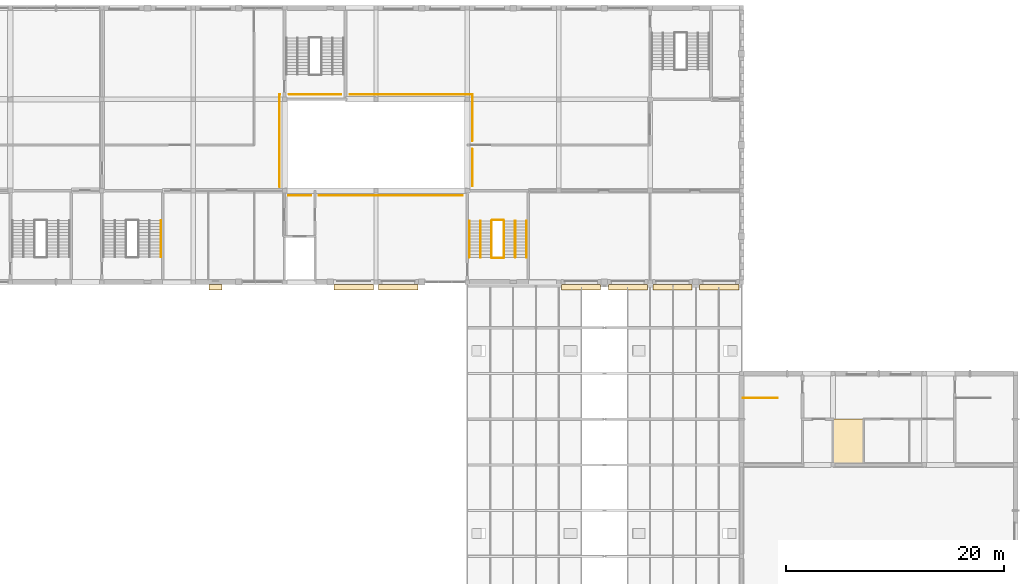
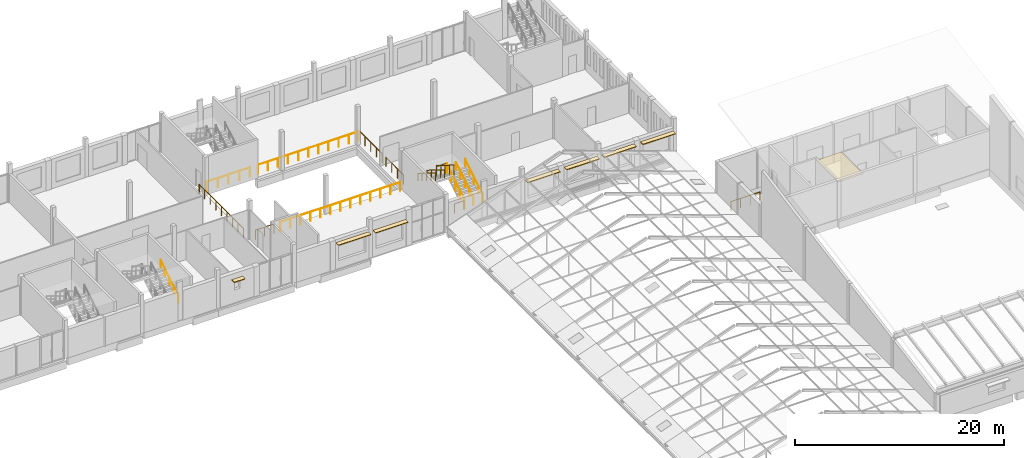
# One storey, part 113 of 116: 17 railings, 8 coverings.
"""IFC4 building model written with IfcOpenShell, lengths in metres."""

from ifc_helpers import new_model, si_unit, direction, frame, origin, origin_2d, place, context, subcontext, project, spatial, rectangle, circle, extrude, material, layer, layer_set, type_object, element, save


model = new_model("IFC4")

# Units and contexts
model_context = context("Model", 3, precision=1e-05, world=origin(), true_north=direction((0.0, 1.0)))
body_context = subcontext(model_context, "Body", "Model", "MODEL_VIEW")
ifc_project = project(units=[si_unit("LENGTHUNIT", "METRE"), si_unit("AREAUNIT", "SQUARE_METRE"), si_unit("VOLUMEUNIT", "CUBIC_METRE"), si_unit("PLANEANGLEUNIT", "RADIAN"), si_unit("MASSUNIT", "GRAM", prefix="KILO")], contexts=[model_context])

# Site, building, storey
site_placement = place(None, origin())
site = spatial("IfcSite", under=ifc_project, at=site_placement, CompositionType="ELEMENT")
building_placement = place(site_placement, origin())
building = spatial("IfcBuilding", under=site, at=building_placement, Name="Fescue Hill Polytechnic", CompositionType="ELEMENT")
storey_placement = place(building_placement, frame((0.0, 0.0, 13.5)))
storey = spatial("IfcBuildingStorey", under=building, at=storey_placement, Name="L03", CompositionType="ELEMENT", Elevation=13.5)

# Coverings
ifc_material_1 = material(Name="Precast concrete C40/50", Category="concrete")
ifc_layer = layer(ifc_material_1, 0.080078125)
ifc_layer_set = layer_set([ifc_layer], Name="Precast concrete C40/50")
covering_type = type_object("IfcCoveringType", Name="Shade blade precast 500x80", PredefinedType="CLADDING", material=ifc_layer_set)
covering_1_placement = place(storey_placement, frame((69.25, 108.72509765625, 2.75), z_axis=(0.0, 0.0, 1.0), x_axis=(1.0, 0.0, 0.0)))
element("IfcCovering", 1, at=covering_1_placement, inside=storey, type_object=covering_type, Name="SB-L03-V4b-1", PredefinedType="CLADDING", context=body_context, shape_type="SweptSolid", body=[
    extrude(rectangle(XDim=1.199951171875, YDim=0.5, at=origin_2d()), origin(), (0.0, 0.0, 1.0), 0.080078125),
])
for number, where, z_axis, x_axis, name in (
    (2, (81.949951171875, 108.72509765625, 3.050048828125), (0.0, 0.0, 1.0), (1.0, 0.0, 0.0), "SB-L03-V4b-2"),
    (3, (86.050048828125, 108.72509765625, 3.050048828125), (0.0, 0.0, 1.0), (1.0, 0.0, 0.0), "SB-L03-V4b-3"),
    (4, (102.85009765625, 108.72509765625, 3.050048828125), (0.0, 0.0, 1.0), (1.0, 0.0, 0.0), "SB-L03-V4b-4"),
    (5, (107.14990234375, 108.72509765625, 3.050048828125), (0.0, 0.0, 1.0), (1.0, 0.0, 0.0), "SB-L03-V4b-5"),
    (6, (111.25, 108.72509765625, 3.050048828125), (0.0, 0.0, 1.0), (1.0, 0.0, 0.0), "SB-L03-V4b-6"),
    (7, (115.550048828125, 108.72509765625, 3.050048828125), (0.0, 0.0, 1.0), (1.0, 0.0, 0.0), "SB-L03-V4b-7"),
):
    element("IfcCovering", number, at=place(storey_placement, frame(where, z_axis=z_axis, x_axis=x_axis)), inside=storey, type_object=covering_type, Name=name, PredefinedType="CLADDING", context=body_context, shape_type="SweptSolid", body=[
        extrude(rectangle(XDim=3.60009765625, YDim=0.5, at=origin_2d()), origin(), (0.0, 0.0, 1.0), 0.080078125),
    ])

# Railings
ifc_material_2 = material(Name="Steel 350W (350 MPa)", Category="steel")
railing_type_1 = type_object("IfcRailingType", Name="Stair guard steel 1100", PredefinedType="GUARDRAIL", material=ifc_material_2)
railing_1_placement = place(storey_placement, frame((117.72509765625, 98.550048828125, 0.0)))
element("IfcRailing", 8, at=railing_1_placement, inside=storey, type_object=railing_type_1, Name="L03 ST-V2-1 well guard 1", PredefinedType="GUARDRAIL", context=body_context, shape_type="SweptSolid", body=[
    extrude(circle(Radius=0.02392578125, at=origin_2d()), frame((0.0, 0.0, 1.076171875), z_axis=(1.0, 0.0, 0.0), x_axis=(0.0, 1.0, 0.0)), (0.0, 0.0, 1.0), 3.199951171875),
    extrude(circle(Radius=0.02099609375, at=origin_2d()), origin(), (0.0, 0.0, 1.0), 1.052001953125),
    extrude(circle(Radius=0.02099609375, at=origin_2d()), frame((1.066650390625, 0.0, 0.0)), (0.0, 0.0, 1.0), 1.052001953125),
    extrude(circle(Radius=0.02099609375, at=origin_2d()), frame((2.13330078125, 0.0, 0.0)), (0.0, 0.0, 1.0), 1.052001953125),
    extrude(circle(Radius=0.02099609375, at=origin_2d()), frame((3.199951171875, 0.0, 0.0)), (0.0, 0.0, 1.0), 1.052001953125),
])
railing_2_placement = place(storey_placement, frame((95.77490234375, 111.47509765625, 0.173095703125)))
element("IfcRailing", 9, at=railing_2_placement, inside=storey, type_object=railing_type_1, Name="L03 ST-V4b-3 stair guard 1", PredefinedType="GUARDRAIL", context=body_context, shape_type="SweptSolid", body=[
    extrude(circle(Radius=0.02392578125, at=origin_2d()), frame((0.0, 0.0, 1.076171875), z_axis=(0.0, 0.850606129759, 0.525803396734), x_axis=(-1.0, 0.0, 0.0)), (0.0, 0.0, 1.0), 3.949951171875),
    extrude(circle(Radius=0.02099609375, at=origin_2d()), origin(), (0.0, 0.0, 1.0), 1.052001953125),
    extrude(circle(Radius=0.02099609375, at=origin_2d()), frame((0.0, 0.83984375, 0.519287109375)), (0.0, 0.0, 1.0), 1.052001953125),
    extrude(circle(Radius=0.02099609375, at=origin_2d()), frame((0.0, 1.679931640625, 1.03857421875)), (0.0, 0.0, 1.0), 1.052001953125),
    extrude(circle(Radius=0.02099609375, at=origin_2d()), frame((0.0, 2.52001953125, 1.5576171875)), (0.0, 0.0, 1.0), 1.052001953125),
    extrude(circle(Radius=0.02099609375, at=origin_2d()), frame((0.0, 3.35986328125, 2.076904296875)), (0.0, 0.0, 1.0), 1.052001953125),
])
railing_3_placement = place(storey_placement, frame((95.72509765625, 114.885009765625, 2.25)))
element("IfcRailing", 10, at=railing_3_placement, inside=storey, type_object=railing_type_1, Name="L03 ST-V4b-3 stair guard 2", PredefinedType="GUARDRAIL", context=body_context, shape_type="SweptSolid", body=[
    extrude(circle(Radius=0.02392578125, at=origin_2d()), frame((0.0, 0.0, 1.076171875), z_axis=(-1.0, 0.0, 0.0), x_axis=(0.0, -1.0, 0.0)), (0.0, 0.0, 1.0), 1.050048828125),
    extrude(circle(Radius=0.02099609375, at=origin_2d()), origin(), (0.0, 0.0, 1.0), 1.052001953125),
    extrude(circle(Radius=0.02099609375, at=origin_2d()), frame((-1.050048828125, 0.0, 0.0)), (0.0, 0.0, 1.0), 1.052001953125),
])
railing_4_placement = place(storey_placement, frame((94.625, 114.8349609375, 2.423095703125)))
element("IfcRailing", 11, at=railing_4_placement, inside=storey, type_object=railing_type_1, Name="L03 ST-V4b-3 stair guard 3", PredefinedType="GUARDRAIL", context=body_context, shape_type="SweptSolid", body=[
    extrude(circle(Radius=0.02392578125, at=origin_2d()), frame((0.0, 0.0, 1.076171875), z_axis=(0.0, -0.850606129759, 0.525803396734), x_axis=(1.0, 0.0, 0.0)), (0.0, 0.0, 1.0), 3.949951171875),
    extrude(circle(Radius=0.02099609375, at=origin_2d()), origin(), (0.0, 0.0, 1.0), 1.052001953125),
    extrude(circle(Radius=0.02099609375, at=origin_2d()), frame((0.0, -0.83984375, 0.519287109375)), (0.0, 0.0, 1.0), 1.052001953125),
    extrude(circle(Radius=0.02099609375, at=origin_2d()), frame((0.0, -1.679931640625, 1.03857421875)), (0.0, 0.0, 1.0), 1.052001953125),
    extrude(circle(Radius=0.02099609375, at=origin_2d()), frame((0.0, -2.52001953125, 1.5576171875)), (0.0, 0.0, 1.0), 1.052001953125),
    extrude(circle(Radius=0.02099609375, at=origin_2d()), frame((0.0, -3.35986328125, 2.076904296875)), (0.0, 0.0, 1.0), 1.052001953125),
])
railing_5_placement = place(storey_placement, frame((95.72509765625, 111.425048828125, 0.0)))
element("IfcRailing", 12, at=railing_5_placement, inside=storey, type_object=railing_type_1, Name="L03 ST-V4b-3 stair guard 4", PredefinedType="GUARDRAIL", context=body_context, shape_type="SweptSolid", body=[
    extrude(circle(Radius=0.02392578125, at=origin_2d()), frame((0.0, 0.0, 1.076171875), z_axis=(-1.0, 0.0, 0.0), x_axis=(0.0, -1.0, 0.0)), (0.0, 0.0, 1.0), 1.050048828125),
    extrude(circle(Radius=0.02099609375, at=origin_2d()), origin(), (0.0, 0.0, 1.0), 1.052001953125),
    extrude(circle(Radius=0.02099609375, at=origin_2d()), frame((-1.050048828125, 0.0, 0.0)), (0.0, 0.0, 1.0), 1.052001953125),
])
railing_type_2 = type_object("IfcRailingType", Name="Stair handrail steel 900", PredefinedType="HANDRAIL", material=ifc_material_2)
railing_6_placement = place(storey_placement, frame((64.22509765625, 111.5, 0.173095703125)))
element("IfcRailing", 13, at=railing_6_placement, inside=storey, type_object=railing_type_2, Name="L03 ST-V4b-1 stair handrail 1", PredefinedType="HANDRAIL", context=body_context, shape_type="SweptSolid", body=[
    extrude(circle(Radius=0.02392578125, at=origin_2d()), frame((0.0, 0.0, 0.8759765625), z_axis=(0.0, 0.850623216509, 0.525775754039), x_axis=(-1.0, 0.0, 0.0)), (0.0, 0.0, 1.0), 3.9501953125),
    extrude(circle(Radius=0.02099609375, at=origin_2d()), origin(), (0.0, 0.0, 1.0), 0.851806640625),
    extrude(circle(Radius=0.02099609375, at=origin_2d()), frame((0.0, 0.840087890625, 0.519287109375)), (0.0, 0.0, 1.0), 0.851806640625),
    extrude(circle(Radius=0.02099609375, at=origin_2d()), frame((0.0, 1.68017578125, 1.03857421875)), (0.0, 0.0, 1.0), 0.851806640625),
    extrude(circle(Radius=0.02099609375, at=origin_2d()), frame((0.0, 2.52001953125, 1.5576171875)), (0.0, 0.0, 1.0), 0.851806640625),
    extrude(circle(Radius=0.02099609375, at=origin_2d()), frame((0.0, 3.360107421875, 2.076904296875)), (0.0, 0.0, 1.0), 0.851806640625),
])
railing_7_placement = place(storey_placement, frame((97.824951171875, 111.47509765625, 0.173095703125)))
element("IfcRailing", 14, at=railing_7_placement, inside=storey, type_object=railing_type_2, Name="L03 ST-V4b-3 stair handrail 1", PredefinedType="HANDRAIL", context=body_context, shape_type="SweptSolid", body=[
    extrude(circle(Radius=0.02392578125, at=origin_2d()), frame((0.0, 0.0, 0.8759765625), z_axis=(0.0, 0.850606129759, 0.525803396734), x_axis=(-1.0, 0.0, 0.0)), (0.0, 0.0, 1.0), 3.949951171875),
    extrude(circle(Radius=0.02099609375, at=origin_2d()), origin(), (0.0, 0.0, 1.0), 0.851806640625),
    extrude(circle(Radius=0.02099609375, at=origin_2d()), frame((0.0, 0.83984375, 0.519287109375)), (0.0, 0.0, 1.0), 0.851806640625),
    extrude(circle(Radius=0.02099609375, at=origin_2d()), frame((0.0, 1.679931640625, 1.03857421875)), (0.0, 0.0, 1.0), 0.851806640625),
    extrude(circle(Radius=0.02099609375, at=origin_2d()), frame((0.0, 2.52001953125, 1.5576171875)), (0.0, 0.0, 1.0), 0.851806640625),
    extrude(circle(Radius=0.02099609375, at=origin_2d()), frame((0.0, 3.35986328125, 2.076904296875)), (0.0, 0.0, 1.0), 0.851806640625),
])
railing_8_placement = place(storey_placement, frame((92.574951171875, 114.8349609375, 2.423095703125)))
element("IfcRailing", 15, at=railing_8_placement, inside=storey, type_object=railing_type_2, Name="L03 ST-V4b-3 stair handrail 2", PredefinedType="HANDRAIL", context=body_context, shape_type="SweptSolid", body=[
    extrude(circle(Radius=0.02392578125, at=origin_2d()), frame((0.0, 0.0, 0.8759765625), z_axis=(0.0, -0.850606129759, 0.525803396734), x_axis=(1.0, 0.0, 0.0)), (0.0, 0.0, 1.0), 3.949951171875),
    extrude(circle(Radius=0.02099609375, at=origin_2d()), origin(), (0.0, 0.0, 1.0), 0.851806640625),
    extrude(circle(Radius=0.02099609375, at=origin_2d()), frame((0.0, -0.83984375, 0.519287109375)), (0.0, 0.0, 1.0), 0.851806640625),
    extrude(circle(Radius=0.02099609375, at=origin_2d()), frame((0.0, -1.679931640625, 1.03857421875)), (0.0, 0.0, 1.0), 0.851806640625),
    extrude(circle(Radius=0.02099609375, at=origin_2d()), frame((0.0, -2.52001953125, 1.5576171875)), (0.0, 0.0, 1.0), 0.851806640625),
    extrude(circle(Radius=0.02099609375, at=origin_2d()), frame((0.0, -3.35986328125, 2.076904296875)), (0.0, 0.0, 1.0), 0.851806640625),
])
railing_9_placement = place(storey_placement, frame((96.800048828125, 111.47509765625, 0.173095703125)))
element("IfcRailing", 16, at=railing_9_placement, inside=storey, type_object=railing_type_2, Name="L03 ST-V4b-3 stair handrail 3", PredefinedType="HANDRAIL", context=body_context, shape_type="SweptSolid", body=[
    extrude(circle(Radius=0.02392578125, at=origin_2d()), frame((0.0, 0.0, 0.8759765625), z_axis=(0.0, 0.850606129759, 0.525803396734), x_axis=(-1.0, 0.0, 0.0)), (0.0, 0.0, 1.0), 3.949951171875),
    extrude(circle(Radius=0.02099609375, at=origin_2d()), origin(), (0.0, 0.0, 1.0), 0.851806640625),
    extrude(circle(Radius=0.02099609375, at=origin_2d()), frame((0.0, 0.83984375, 0.519287109375)), (0.0, 0.0, 1.0), 0.851806640625),
    extrude(circle(Radius=0.02099609375, at=origin_2d()), frame((0.0, 1.679931640625, 1.03857421875)), (0.0, 0.0, 1.0), 0.851806640625),
    extrude(circle(Radius=0.02099609375, at=origin_2d()), frame((0.0, 2.52001953125, 1.5576171875)), (0.0, 0.0, 1.0), 0.851806640625),
    extrude(circle(Radius=0.02099609375, at=origin_2d()), frame((0.0, 3.35986328125, 2.076904296875)), (0.0, 0.0, 1.0), 0.851806640625),
])
railing_10_placement = place(storey_placement, frame((93.60009765625, 114.8349609375, 2.423095703125)))
element("IfcRailing", 17, at=railing_10_placement, inside=storey, type_object=railing_type_2, Name="L03 ST-V4b-3 stair handrail 4", PredefinedType="HANDRAIL", context=body_context, shape_type="SweptSolid", body=[
    extrude(circle(Radius=0.02392578125, at=origin_2d()), frame((0.0, 0.0, 0.8759765625), z_axis=(0.0, -0.850606129759, 0.525803396734), x_axis=(1.0, 0.0, 0.0)), (0.0, 0.0, 1.0), 3.949951171875),
    extrude(circle(Radius=0.02099609375, at=origin_2d()), origin(), (0.0, 0.0, 1.0), 0.851806640625),
    extrude(circle(Radius=0.02099609375, at=origin_2d()), frame((0.0, -0.83984375, 0.519287109375)), (0.0, 0.0, 1.0), 0.851806640625),
    extrude(circle(Radius=0.02099609375, at=origin_2d()), frame((0.0, -1.679931640625, 1.03857421875)), (0.0, 0.0, 1.0), 0.851806640625),
    extrude(circle(Radius=0.02099609375, at=origin_2d()), frame((0.0, -2.52001953125, 1.5576171875)), (0.0, 0.0, 1.0), 0.851806640625),
    extrude(circle(Radius=0.02099609375, at=origin_2d()), frame((0.0, -3.35986328125, 2.076904296875)), (0.0, 0.0, 1.0), 0.851806640625),
])
railing_type_3 = type_object("IfcRailingType", Name="Void edge guard steel 1100", PredefinedType="GUARDRAIL", material=ifc_material_2)
railing_11_placement = place(storey_placement, frame((92.85009765625, 126.449951171875, 0.0)))
element("IfcRailing", 18, at=railing_11_placement, inside=storey, type_object=railing_type_3, Name="L03 V4b void edge guard 1", PredefinedType="GUARDRAIL", context=body_context, shape_type="SweptSolid", body=[
    extrude(circle(Radius=0.02392578125, at=origin_2d()), frame((0.0, 0.0, 1.076171875), z_axis=(0.0, -1.0, 0.0), x_axis=(1.0, 0.0, 0.0)), (0.0, 0.0, 1.0), 4.27490234375),
    extrude(circle(Radius=0.02099609375, at=origin_2d()), origin(), (0.0, 0.0, 1.0), 1.052001953125),
    extrude(circle(Radius=0.02099609375, at=origin_2d()), frame((0.0, -1.06884765625, 0.0)), (0.0, 0.0, 1.0), 1.052001953125),
    extrude(circle(Radius=0.02099609375, at=origin_2d()), frame((0.0, -2.137451171875, 0.0)), (0.0, 0.0, 1.0), 1.052001953125),
    extrude(circle(Radius=0.02099609375, at=origin_2d()), frame((0.0, -3.2060546875, 0.0)), (0.0, 0.0, 1.0), 1.052001953125),
    extrude(circle(Radius=0.02099609375, at=origin_2d()), frame((0.0, -4.27490234375, 0.0)), (0.0, 0.0, 1.0), 1.052001953125),
])
railing_12_placement = place(storey_placement, frame((92.85009765625, 121.425048828125, 0.0)))
element("IfcRailing", 19, at=railing_12_placement, inside=storey, type_object=railing_type_3, Name="L03 V4b void edge guard 2", PredefinedType="GUARDRAIL", context=body_context, shape_type="SweptSolid", body=[
    extrude(circle(Radius=0.02392578125, at=origin_2d()), frame((0.0, 0.0, 1.076171875), z_axis=(0.0, -1.0, 0.0), x_axis=(1.0, 0.0, 0.0)), (0.0, 0.0, 1.0), 3.400146484375),
    extrude(circle(Radius=0.02099609375, at=origin_2d()), origin(), (0.0, 0.0, 1.0), 1.052001953125),
    extrude(circle(Radius=0.02099609375, at=origin_2d()), frame((0.0, -1.13330078125, 0.0)), (0.0, 0.0, 1.0), 1.052001953125),
    extrude(circle(Radius=0.02099609375, at=origin_2d()), frame((0.0, -2.266845703125, 0.0)), (0.0, 0.0, 1.0), 1.052001953125),
    extrude(circle(Radius=0.02099609375, at=origin_2d()), frame((0.0, -3.400146484375, 0.0)), (0.0, 0.0, 1.0), 1.052001953125),
])
railing_13_placement = place(storey_placement, frame((91.97509765625, 117.14990234375, 0.0)))
element("IfcRailing", 20, at=railing_13_placement, inside=storey, type_object=railing_type_3, Name="L03 V4b void edge guard 3", PredefinedType="GUARDRAIL", context=body_context, shape_type="SweptSolid", body=[
    extrude(circle(Radius=0.02392578125, at=origin_2d()), frame((0.0, 0.0, 1.076171875), z_axis=(-1.0, 0.0, 0.0), x_axis=(0.0, -1.0, 0.0)), (0.0, 0.0, 1.0), 13.2001953125),
    extrude(circle(Radius=0.02099609375, at=origin_2d()), origin(), (0.0, 0.0, 1.0), 1.052001953125),
    extrude(circle(Radius=0.02099609375, at=origin_2d()), frame((-1.10009765625, 0.0, 0.0)), (0.0, 0.0, 1.0), 1.052001953125),
    extrude(circle(Radius=0.02099609375, at=origin_2d()), frame((-2.199951171875, 0.0, 0.0)), (0.0, 0.0, 1.0), 1.052001953125),
    extrude(circle(Radius=0.02099609375, at=origin_2d()), frame((-3.300048828125, 0.0, 0.0)), (0.0, 0.0, 1.0), 1.052001953125),
    extrude(circle(Radius=0.02099609375, at=origin_2d()), frame((-4.400146484375, 0.0, 0.0)), (0.0, 0.0, 1.0), 1.052001953125),
    extrude(circle(Radius=0.02099609375, at=origin_2d()), frame((-5.5, 0.0, 0.0)), (0.0, 0.0, 1.0), 1.052001953125),
    extrude(circle(Radius=0.02099609375, at=origin_2d()), frame((-6.60009765625, 0.0, 0.0)), (0.0, 0.0, 1.0), 1.052001953125),
    extrude(circle(Radius=0.02099609375, at=origin_2d()), frame((-7.7001953125, 0.0, 0.0)), (0.0, 0.0, 1.0), 1.052001953125),
    extrude(circle(Radius=0.02099609375, at=origin_2d()), frame((-8.800048828125, 0.0, 0.0)), (0.0, 0.0, 1.0), 1.052001953125),
    extrude(circle(Radius=0.02099609375, at=origin_2d()), frame((-9.900146484375, 0.0, 0.0)), (0.0, 0.0, 1.0), 1.052001953125),
    extrude(circle(Radius=0.02099609375, at=origin_2d()), frame((-11.000244140625, 0.0, 0.0)), (0.0, 0.0, 1.0), 1.052001953125),
    extrude(circle(Radius=0.02099609375, at=origin_2d()), frame((-12.10009765625, 0.0, 0.0)), (0.0, 0.0, 1.0), 1.052001953125),
    extrude(circle(Radius=0.02099609375, at=origin_2d()), frame((-13.2001953125, 0.0, 0.0)), (0.0, 0.0, 1.0), 1.052001953125),
])
railing_14_placement = place(storey_placement, frame((78.02490234375, 117.14990234375, 0.0)))
element("IfcRailing", 21, at=railing_14_placement, inside=storey, type_object=railing_type_3, Name="L03 V4b void edge guard 4", PredefinedType="GUARDRAIL", context=body_context, shape_type="SweptSolid", body=[
    extrude(circle(Radius=0.02392578125, at=origin_2d()), frame((0.0, 0.0, 1.076171875), z_axis=(-1.0, 0.0, 0.0), x_axis=(0.0, -1.0, 0.0)), (0.0, 0.0, 1.0), 2.0498046875),
    extrude(circle(Radius=0.02099609375, at=origin_2d()), origin(), (0.0, 0.0, 1.0), 1.052001953125),
    extrude(circle(Radius=0.02099609375, at=origin_2d()), frame((-1.02490234375, 0.0, 0.0)), (0.0, 0.0, 1.0), 1.052001953125),
    extrude(circle(Radius=0.02099609375, at=origin_2d()), frame((-2.0498046875, 0.0, 0.0)), (0.0, 0.0, 1.0), 1.052001953125),
])
railing_15_placement = place(storey_placement, frame((75.14990234375, 117.949951171875, 0.0)))
element("IfcRailing", 22, at=railing_15_placement, inside=storey, type_object=railing_type_3, Name="L03 V4b void edge guard 5", PredefinedType="GUARDRAIL", context=body_context, shape_type="SweptSolid", body=[
    extrude(circle(Radius=0.02392578125, at=origin_2d()), frame((0.0, 0.0, 1.076171875), z_axis=(0.0, 1.0, 0.0), x_axis=(-1.0, 0.0, 0.0)), (0.0, 0.0, 1.0), 8.5),
    extrude(circle(Radius=0.02392578125, at=origin_2d()), frame((0.0, 8.5, 1.076171875), z_axis=(1.0, 0.0, 0.0), x_axis=(0.0, 1.0, 0.0)), (0.0, 0.0, 1.0), 0.025146484375),
    extrude(circle(Radius=0.02099609375, at=origin_2d()), origin(), (0.0, 0.0, 1.0), 1.052001953125),
    extrude(circle(Radius=0.02099609375, at=origin_2d()), frame((0.0, 1.0625, 0.0)), (0.0, 0.0, 1.0), 1.052001953125),
    extrude(circle(Radius=0.02099609375, at=origin_2d()), frame((0.0, 2.125, 0.0)), (0.0, 0.0, 1.0), 1.052001953125),
    extrude(circle(Radius=0.02099609375, at=origin_2d()), frame((0.0, 3.1875, 0.0)), (0.0, 0.0, 1.0), 1.052001953125),
    extrude(circle(Radius=0.02099609375, at=origin_2d()), frame((0.0, 4.25, 0.0)), (0.0, 0.0, 1.0), 1.052001953125),
    extrude(circle(Radius=0.02099609375, at=origin_2d()), frame((0.0, 5.3125, 0.0)), (0.0, 0.0, 1.0), 1.052001953125),
    extrude(circle(Radius=0.02099609375, at=origin_2d()), frame((0.0, 6.375, 0.0)), (0.0, 0.0, 1.0), 1.052001953125),
    extrude(circle(Radius=0.02099609375, at=origin_2d()), frame((0.0, 7.4375, 0.0)), (0.0, 0.0, 1.0), 1.052001953125),
    extrude(circle(Radius=0.02099609375, at=origin_2d()), frame((0.0, 8.5, 0.0)), (0.0, 0.0, 1.0), 1.052001953125),
    extrude(circle(Radius=0.02099609375, at=origin_2d()), frame((0.025146484375, 8.5, 0.0)), (0.0, 0.0, 1.0), 1.052001953125),
])
railing_16_placement = place(storey_placement, frame((76.02490234375, 126.449951171875, 0.0)))
element("IfcRailing", 23, at=railing_16_placement, inside=storey, type_object=railing_type_3, Name="L03 V4b void edge guard 6", PredefinedType="GUARDRAIL", context=body_context, shape_type="SweptSolid", body=[
    extrude(circle(Radius=0.02392578125, at=origin_2d()), frame((0.0, 0.0, 1.076171875), z_axis=(1.0, 0.0, 0.0), x_axis=(0.0, 1.0, 0.0)), (0.0, 0.0, 1.0), 4.75),
    extrude(circle(Radius=0.02099609375, at=origin_2d()), origin(), (0.0, 0.0, 1.0), 1.052001953125),
    extrude(circle(Radius=0.02099609375, at=origin_2d()), frame((1.1875, 0.0, 0.0)), (0.0, 0.0, 1.0), 1.052001953125),
    extrude(circle(Radius=0.02099609375, at=origin_2d()), frame((2.375, 0.0, 0.0)), (0.0, 0.0, 1.0), 1.052001953125),
    extrude(circle(Radius=0.02099609375, at=origin_2d()), frame((3.5625, 0.0, 0.0)), (0.0, 0.0, 1.0), 1.052001953125),
    extrude(circle(Radius=0.02099609375, at=origin_2d()), frame((4.75, 0.0, 0.0)), (0.0, 0.0, 1.0), 1.052001953125),
])
railing_17_placement = place(storey_placement, frame((81.625, 126.449951171875, 0.0)))
element("IfcRailing", 24, at=railing_17_placement, inside=storey, type_object=railing_type_3, Name="L03 V4b void edge guard 7", PredefinedType="GUARDRAIL", context=body_context, shape_type="SweptSolid", body=[
    extrude(circle(Radius=0.02392578125, at=origin_2d()), frame((0.0, 0.0, 1.076171875), z_axis=(1.0, 0.0, 0.0), x_axis=(0.0, 1.0, 0.0)), (0.0, 0.0, 1.0), 11.1650390625),
    extrude(circle(Radius=0.02099609375, at=origin_2d()), origin(), (0.0, 0.0, 1.0), 1.052001953125),
    extrude(circle(Radius=0.02099609375, at=origin_2d()), frame((1.116455078125, 0.0, 0.0)), (0.0, 0.0, 1.0), 1.052001953125),
    extrude(circle(Radius=0.02099609375, at=origin_2d()), frame((2.23291015625, 0.0, 0.0)), (0.0, 0.0, 1.0), 1.052001953125),
    extrude(circle(Radius=0.02099609375, at=origin_2d()), frame((3.349609375, 0.0, 0.0)), (0.0, 0.0, 1.0), 1.052001953125),
    extrude(circle(Radius=0.02099609375, at=origin_2d()), frame((4.466064453125, 0.0, 0.0)), (0.0, 0.0, 1.0), 1.052001953125),
    extrude(circle(Radius=0.02099609375, at=origin_2d()), frame((5.58251953125, 0.0, 0.0)), (0.0, 0.0, 1.0), 1.052001953125),
    extrude(circle(Radius=0.02099609375, at=origin_2d()), frame((6.698974609375, 0.0, 0.0)), (0.0, 0.0, 1.0), 1.052001953125),
    extrude(circle(Radius=0.02099609375, at=origin_2d()), frame((7.8154296875, 0.0, 0.0)), (0.0, 0.0, 1.0), 1.052001953125),
    extrude(circle(Radius=0.02099609375, at=origin_2d()), frame((8.93212890625, 0.0, 0.0)), (0.0, 0.0, 1.0), 1.052001953125),
    extrude(circle(Radius=0.02099609375, at=origin_2d()), frame((10.048583984375, 0.0, 0.0)), (0.0, 0.0, 1.0), 1.052001953125),
    extrude(circle(Radius=0.02099609375, at=origin_2d()), frame((11.1650390625, 0.0, 0.0)), (0.0, 0.0, 1.0), 1.052001953125),
])

# Covering
covering_2_placement = place(storey_placement, frame((127.39990234375, 94.5, 4.14990234375), z_axis=(0.0, 0.0, 1.0), x_axis=(1.0, 0.0, 0.0)))
element("IfcCovering", 25, at=covering_2_placement, inside=storey, Name="Ceiling Lobby 3.05", PredefinedType="CEILING", context=body_context, shape_type="SweptSolid", body=[
    extrude(rectangle(XDim=2.800048828125, YDim=4.199951171875, at=origin_2d()), origin(), (0.0, 0.0, 1.0), 0.0400390625),
])

save(model, "model.ifc")
